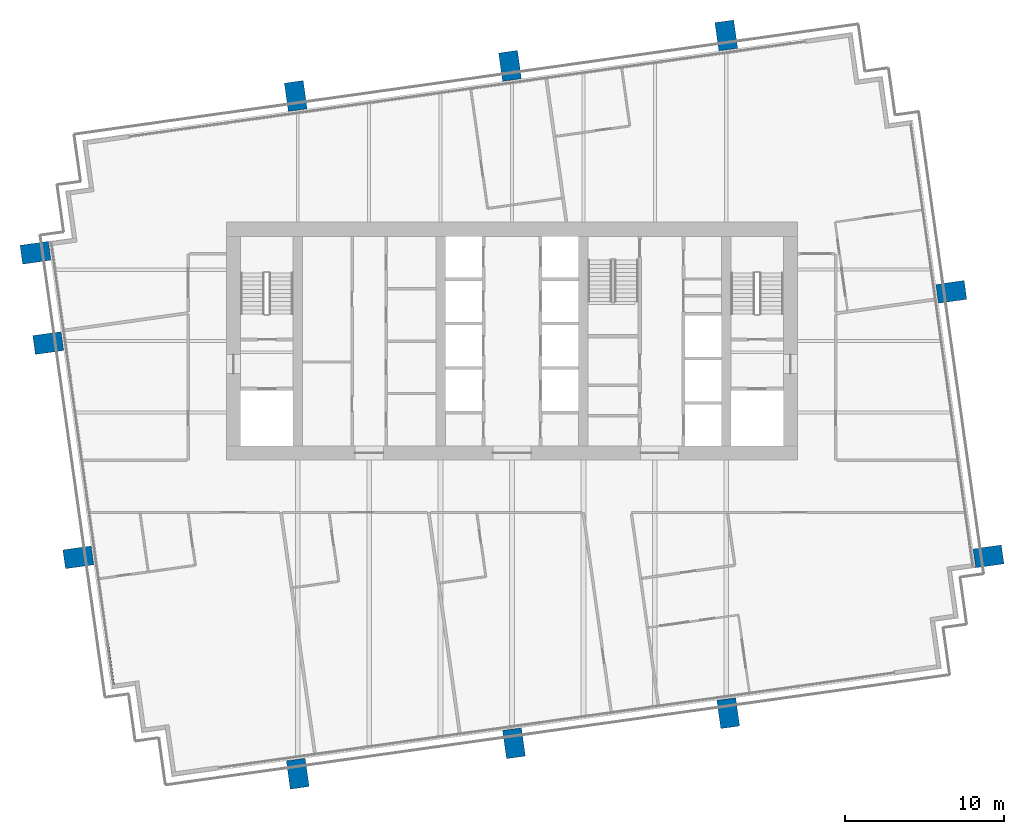
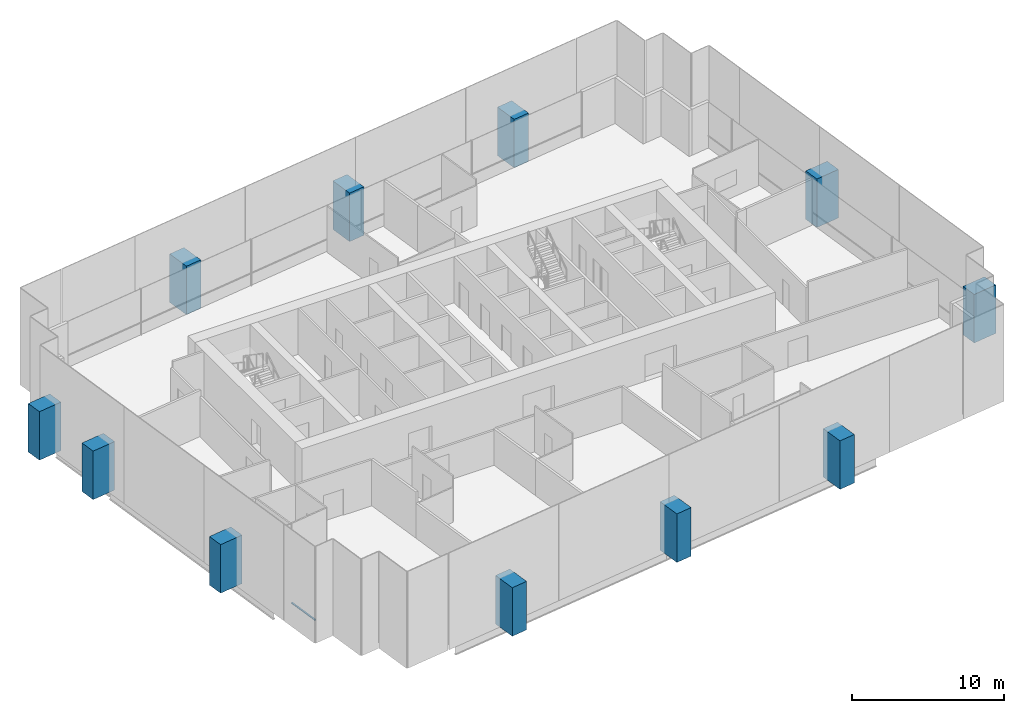
# One storey, part 1 of 17: 11 columns, 1 member, 1 element without a shape of its own.
"""IFC4 building model written with IfcOpenShell, lengths in metres."""

from ifc_helpers import new_model, si_unit, direction, frame, origin, origin_2d, place, context, subcontext, project, spatial, rectangle, extrude, material, material_profile, profile_set, type_object, element, aggregate, save


model = new_model("IFC4")

# Units and contexts
model_context = context("Model", 3, precision=1e-05, world=origin(), true_north=direction((0.0, 1.0)))
body_context = subcontext(model_context, "Body", "Model", "MODEL_VIEW")
ifc_project = project(units=[si_unit("LENGTHUNIT", "METRE"), si_unit("AREAUNIT", "SQUARE_METRE"), si_unit("VOLUMEUNIT", "CUBIC_METRE"), si_unit("PLANEANGLEUNIT", "RADIAN"), si_unit("MASSUNIT", "GRAM", prefix="KILO")], contexts=[model_context])

# Site, building, storey
site_placement = place(None, origin())
site = spatial("IfcSite", under=ifc_project, at=site_placement, CompositionType="ELEMENT")
building_placement = place(site_placement, origin())
building = spatial("IfcBuilding", under=site, at=building_placement, Name="Rattan Terrace Tower", CompositionType="ELEMENT")
storey_placement = place(building_placement, frame((0.0, 0.0, 191.89990234375)))
storey = spatial("IfcBuildingStorey", under=building, at=storey_placement, Name="L44", CompositionType="ELEMENT", Elevation=191.89990234375)

# Columns
ifc_material_1 = material(Name="Concrete C50/60", Category="concrete")
ifc_material_profile_1 = material_profile(ifc_material_1, rectangle(XDim=1.199951171875, YDim=1.800048828125, at=origin_2d()), Name="CFT 1800x1200")
ifc_profile_set_1 = profile_set([ifc_material_profile_1], Name="Concrete C50/60")
column_type = type_object("IfcColumnType", Name="Frame exoskeleton column CFT 1800x1200", PredefinedType="COLUMN", material=ifc_profile_set_1)
for number, where, z_axis, x_axis, name in (
    (1, (-13.5, -27.256103515625, -0.199951171875), (0.0, 0.0, 1.0), (0.99027049762, 0.139155817501, 0.0), "exo-L44-001"),
    (2, (0.125, -25.340087890625, -0.199951171875), (0.0, 0.0, 1.0), (0.99027049762, 0.139155817501, 0.0), "exo-L44-002"),
    (3, (13.625, -23.443115234375, -0.199951171875), (0.0, 0.0, 1.0), (0.99027049762, 0.139155817501, 0.0), "exo-L44-003"),
    (4, (-27.325927734375, -13.625, -0.199951171875), (0.0, 0.0, 1.0), (-0.139190384377, 0.990265639562, 0.0), "exo-L44-004"),
    (5, (30.02392578125, -13.56494140625, -0.199951171875), (0.0, 0.0, 1.0), (-0.139190384377, 0.990265639562, 0.0), "exo-L44-005"),
    (6, (-29.22412109375, -0.125, -0.199951171875), (0.0, 0.0, 1.0), (-0.139190384377, 0.990265639562, 0.0), "exo-L44-006"),
    (7, (27.680908203125, 3.10009765625, -0.199951171875), (0.0, 0.0, 1.0), (-0.139190384377, 0.990265639562, 0.0), "exo-L44-007"),
    (8, (-30.02392578125, 5.56494140625, -0.199951171875), (0.0, 0.0, 1.0), (-0.139190384377, 0.990265639562, 0.0), "exo-L44-008"),
    (9, (-13.625, 15.443115234375, -0.199951171875), (0.0, 0.0, 1.0), (0.99027049762, 0.139155817501, 0.0), "exo-L44-009"),
    (10, (-0.125, 17.340087890625, -0.199951171875), (0.0, 0.0, 1.0), (0.99027049762, 0.139155817501, 0.0), "exo-L44-010"),
    (11, (13.5, 19.256103515625, -0.199951171875), (0.0, 0.0, 1.0), (0.99027049762, 0.139155817501, 0.0), "exo-L44-011"),
):
    element("IfcColumn", number, at=place(storey_placement, frame(where, z_axis=z_axis, x_axis=x_axis)), inside=storey, type_object=column_type, Name=name, PredefinedType="COLUMN", context=body_context, shape_type="SweptSolid", body=[
        extrude(rectangle(XDim=1.199951171875, YDim=1.800048828125, at=origin_2d()), origin(), (0.0, 0.0, 1.0), 3.900146484375),
    ])

# Curtain wall, member
ifc_material_2 = material(Name="Aluminium and glass", Category="aluminium")
curtain_wall_type = type_object("IfcCurtainWallType", Name="Facade Unitised Curtain Wall", PredefinedType="NOTDEFINED", material=ifc_material_2)
curtain_wall_placement = place(storey_placement, origin())
curtain_wall = element("IfcCurtainWall", 12, at=curtain_wall_placement, inside=storey, type_object=curtain_wall_type, Name="Curtain wall L44-3", PredefinedType="NOTDEFINED")
ifc_material_3 = material(Name="Aluminium", Category="aluminium")
ifc_material_profile_2 = material_profile(ifc_material_3, rectangle(XDim=0.1201171875, YDim=0.06005859375, at=origin_2d()), Name="Aluminium 120x60")
ifc_profile_set_2 = profile_set([ifc_material_profile_2], Name="Aluminium")
member_type = type_object("IfcMemberType", Name="Facade CW Transom 120x60", PredefinedType="USERDEFINED", material=ifc_profile_set_2)
member_placement = place(storey_placement, frame((-25.47314453125, -19.122314453125, 1.0), z_axis=(0.139106713562, -0.990277396613, 0.0), x_axis=(0.990277396613, 0.139106713562, 0.0)))
member = element("IfcMember", 13, at=member_placement, type_object=member_type, Name="Transom cwl-L44-003.4", ObjectType="TRANSOM", PredefinedType="USERDEFINED", context=body_context, shape_type="SweptSolid", body=[
    extrude(rectangle(XDim=0.1201171875, YDim=0.06005859375, at=origin_2d()), origin(), (0.0, 0.0, 1.0), 2.525634765625),
])
aggregate(curtain_wall, [member])

save(model, "model.ifc")
